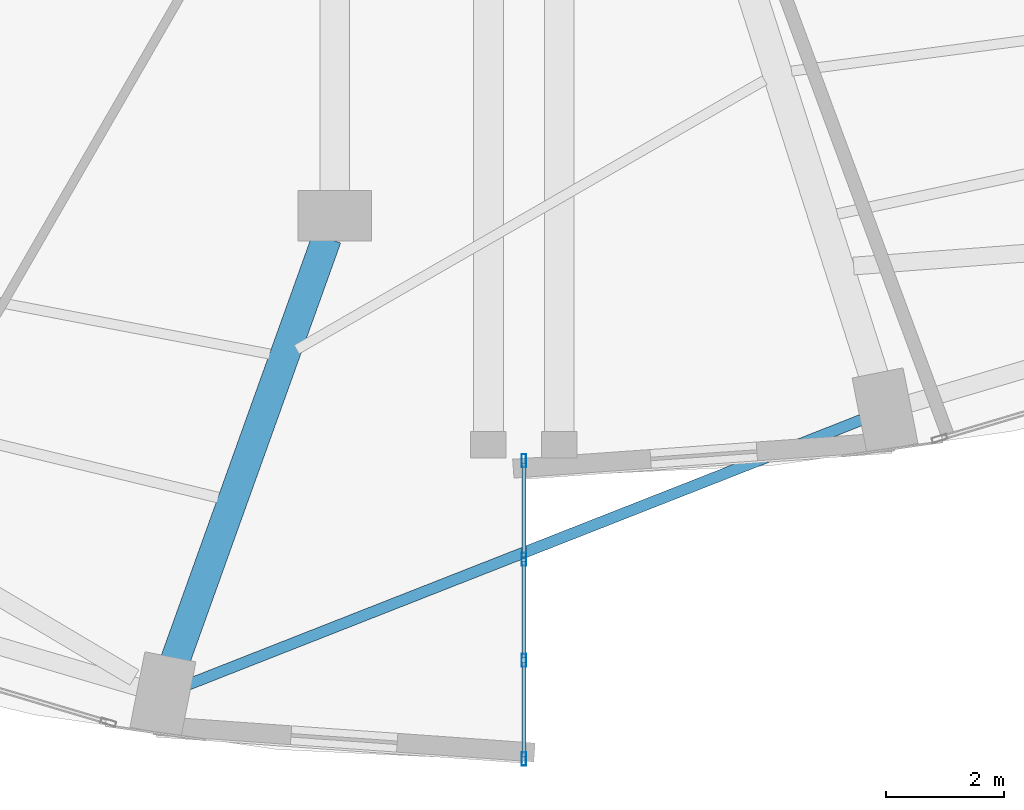
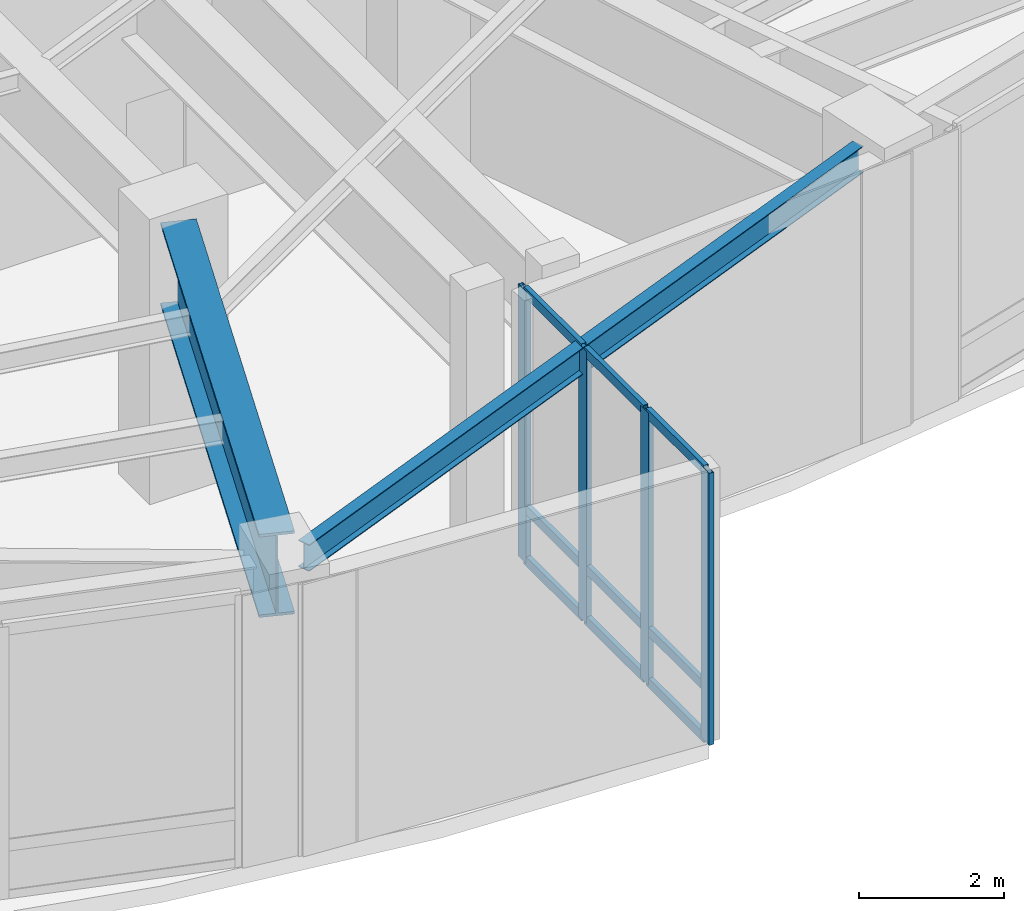
# One storey, part 4 of 24: 13 members, 2 beams, 1 element without a shape of its own.
"""IFC4 building model written with IfcOpenShell, lengths in metres."""

from ifc_helpers import new_model, si_unit, direction, frame, origin, origin_2d, place, context, subcontext, project, spatial, hollow_rectangle, i_section, extrude, material, layer, layer_set, material_profile, profile_set, type_object, element, aggregate, save


model = new_model("IFC4")

# Units and contexts
model_context = context("Model", 3, precision=1e-05, world=origin(), true_north=direction((0.0, 1.0)))
body_context = subcontext(model_context, "Body", "Model", "MODEL_VIEW")
ifc_project = project(units=[si_unit("LENGTHUNIT", "METRE"), si_unit("AREAUNIT", "SQUARE_METRE"), si_unit("VOLUMEUNIT", "CUBIC_METRE"), si_unit("PLANEANGLEUNIT", "RADIAN"), si_unit("MASSUNIT", "GRAM", prefix="KILO")], contexts=[model_context])

# Site, building, storey
site_placement = place(None, origin())
site = spatial("IfcSite", under=ifc_project, at=site_placement, CompositionType="ELEMENT")
building_placement = place(site_placement, origin())
building = spatial("IfcBuilding", under=site, at=building_placement, Name="Lazwardi Medical Tower", CompositionType="ELEMENT")
storey_placement = place(building_placement, frame((0.0, 0.0, 20.39990234375)))
storey = spatial("IfcBuildingStorey", under=building, at=storey_placement, Name="L04", CompositionType="ELEMENT", Elevation=20.39990234375)

# Beams
ifc_material_1 = material(Name="Steel S355", Category="steel")
ifc_material_profile_1 = material_profile(ifc_material_1, i_section(OverallWidth=0.18994140625, OverallDepth=0.449951171875, WebThickness=0.009521484375, FlangeThickness=0.0146484375, at=origin_2d()), Name="IPE 450")
ifc_profile_set_1 = profile_set([ifc_material_profile_1], Name="Steel S355")
beam_type_1 = type_object("IfcBeamType", Name="BM-SP-01", PredefinedType="SPANDREL", material=ifc_profile_set_1)
beam_1_placement = place(storey_placement, frame((30.2939453125, 3.8857421875, 4.35498046875), z_axis=(0.930695337123, 0.365795283536, 0.0), x_axis=(-0.365795283536, 0.930695337123, 0.0)))
element("IfcBeam", 1, at=beam_1_placement, inside=storey, type_object=beam_type_1, Name="Spandrel beam SP-01 B16 L04", PredefinedType="SPANDREL", context=body_context, shape_type="SweptSolid", body=[
    extrude(i_section(OverallWidth=0.18994140625, OverallDepth=0.449951171875, WebThickness=0.009521484375, FlangeThickness=0.0146484375, at=origin_2d()), origin(), (0.0, 0.0, 1.0), 12.261962890625),
])
ifc_material_2 = material(Name="Steel S460", Category="steel")
ifc_material_profile_2 = material_profile(ifc_material_2, i_section(OverallWidth=0.5, OverallDepth=1.39990234375, WebThickness=0.028076171875, FlangeThickness=0.044921875, at=origin_2d()), Name="PG 1400x500")
ifc_profile_set_2 = profile_set([ifc_material_profile_2], Name="Steel S460")
beam_type_2 = type_object("IfcBeamType", Name="BM-TG-01", PredefinedType="BEAM", material=ifc_profile_set_2)
beam_2_placement = place(storey_placement, frame((30.089599609375, 4.2744140625, 3.880126953125), z_axis=(0.337851658054, 0.941199371627, 0.0), x_axis=(-0.941199371627, 0.337851658054, 0.0)))
element("IfcBeam", 2, at=beam_2_placement, inside=storey, type_object=beam_type_2, Name="Transfer girder TG-01 M16A L04", PredefinedType="BEAM", context=body_context, shape_type="SweptSolid", body=[
    extrude(i_section(OverallWidth=0.5, OverallDepth=1.39990234375, WebThickness=0.028076171875, FlangeThickness=0.044921875, at=origin_2d()), origin(), (0.0, 0.0, 1.0), 7.622314453125),
])

# Curtain wall, members
ifc_material_3 = material(Name="Anodised bronze aluminium and solar control glazing", Category="aluminium")
ifc_layer = layer(ifc_material_3, 0.2099609375)
ifc_layer_set = layer_set([ifc_layer], Name="Anodised bronze aluminium and solar control glazing")
curtain_wall_type = type_object("IfcCurtainWallType", Name="CW-SYS-06", PredefinedType="NOTDEFINED", material=ifc_layer_set)
curtain_wall_placement = place(storey_placement, origin())
curtain_wall = element("IfcCurtainWall", 3, at=curtain_wall_placement, inside=storey, type_object=curtain_wall_type, Name="L04 Unitised bronze curtain wall CW-06", PredefinedType="NOTDEFINED")
ifc_material_4 = material(Name="Anodised bronze aluminium", Category="aluminium")
ifc_material_profile_3 = material_profile(ifc_material_4, hollow_rectangle(XDim=0.074951171875, YDim=0.219970703125, WallThickness=0.00390625, at=origin_2d()), Name="ALU-MULLION 220x75x4")
ifc_profile_set_3 = profile_set([ifc_material_profile_3], Name="Anodised bronze aluminium")
member_type_1 = type_object("IfcMemberType", Name="CW-MUL-01", PredefinedType="MULLION", material=ifc_profile_set_3)
member_1_placement = place(storey_placement, frame((36.0, 2.637451171875, 0.0), z_axis=(0.0, 0.0, 1.0), x_axis=(-1.0, 0.0, 0.0)))
member_1 = element("IfcMember", 4, at=member_1_placement, type_object=member_type_1, Name="CW-06 mullion 1", PredefinedType="MULLION", context=body_context, shape_type="SweptSolid", body=[
    extrude(hollow_rectangle(XDim=0.074951171875, YDim=0.219970703125, WallThickness=0.00390625, at=origin_2d()), origin(), (0.0, 0.0, 1.0), 4.580078125),
])
member_2_placement = place(storey_placement, frame((36.0, 4.306640625, 0.0), z_axis=(0.0, 0.0, 1.0), x_axis=(-1.0, 0.0, 0.0)))
member_2 = element("IfcMember", 5, at=member_2_placement, type_object=member_type_1, Name="CW-06 mullion 2", PredefinedType="MULLION", context=body_context, shape_type="SweptSolid", body=[
    extrude(hollow_rectangle(XDim=0.074951171875, YDim=0.219970703125, WallThickness=0.00390625, at=origin_2d()), origin(), (0.0, 0.0, 1.0), 4.580078125),
])
member_3_placement = place(storey_placement, frame((36.0, 6.013427734375, 0.0), z_axis=(0.0, 0.0, 1.0), x_axis=(-1.0, 0.0, 0.0)))
member_3 = element("IfcMember", 6, at=member_3_placement, type_object=member_type_1, Name="CW-06 mullion 3", PredefinedType="MULLION", context=body_context, shape_type="SweptSolid", body=[
    extrude(hollow_rectangle(XDim=0.074951171875, YDim=0.219970703125, WallThickness=0.00390625, at=origin_2d()), origin(), (0.0, 0.0, 1.0), 4.580078125),
])
member_4_placement = place(storey_placement, frame((36.0, 7.6826171875, 0.0), z_axis=(0.0, 0.0, 1.0), x_axis=(-1.0, 0.0, 0.0)))
member_4 = element("IfcMember", 7, at=member_4_placement, type_object=member_type_1, Name="CW-06 mullion 4", PredefinedType="MULLION", context=body_context, shape_type="SweptSolid", body=[
    extrude(hollow_rectangle(XDim=0.074951171875, YDim=0.219970703125, WallThickness=0.00390625, at=origin_2d()), origin(), (0.0, 0.0, 1.0), 4.580078125),
])
ifc_material_profile_4 = material_profile(ifc_material_4, hollow_rectangle(XDim=0.074951171875, YDim=0.159912109375, WallThickness=0.00390625, at=origin_2d()), Name="ALU-TRANSOM 160x75x4")
ifc_profile_set_4 = profile_set([ifc_material_profile_4], Name="Anodised bronze aluminium")
member_type_2 = type_object("IfcMemberType", Name="CW-TRN-01", PredefinedType="USERDEFINED", material=ifc_profile_set_4)
member_5_placement = place(storey_placement, frame((36.0, 2.675048828125, 0.03759765625), z_axis=(0.0, 1.0, 0.0), x_axis=(-1.0, 0.0, 0.0)))
member_5 = element("IfcMember", 8, at=member_5_placement, type_object=member_type_2, Name="CW-06 transom 1.1", ObjectType="TRANSOM", PredefinedType="USERDEFINED", context=body_context, shape_type="SweptSolid", body=[
    extrude(hollow_rectangle(XDim=0.074951171875, YDim=0.159912109375, WallThickness=0.00390625, at=origin_2d()), origin(), (0.0, 0.0, 1.0), 1.59423828125),
])
member_6_placement = place(storey_placement, frame((36.0, 2.675048828125, 0.900146484375), z_axis=(0.0, 1.0, 0.0), x_axis=(-1.0, 0.0, 0.0)))
member_6 = element("IfcMember", 9, at=member_6_placement, type_object=member_type_2, Name="CW-06 transom 1.2", ObjectType="TRANSOM", PredefinedType="USERDEFINED", context=body_context, shape_type="SweptSolid", body=[
    extrude(hollow_rectangle(XDim=0.074951171875, YDim=0.159912109375, WallThickness=0.00390625, at=origin_2d()), origin(), (0.0, 0.0, 1.0), 1.59423828125),
])
member_7_placement = place(storey_placement, frame((36.0, 2.675048828125, 4.54248046875), z_axis=(0.0, 1.0, 0.0), x_axis=(-1.0, 0.0, 0.0)))
member_7 = element("IfcMember", 10, at=member_7_placement, type_object=member_type_2, Name="CW-06 transom 1.3", ObjectType="TRANSOM", PredefinedType="USERDEFINED", context=body_context, shape_type="SweptSolid", body=[
    extrude(hollow_rectangle(XDim=0.074951171875, YDim=0.159912109375, WallThickness=0.00390625, at=origin_2d()), origin(), (0.0, 0.0, 1.0), 1.59423828125),
])
member_8_placement = place(storey_placement, frame((36.0, 4.34423828125, 0.03759765625), z_axis=(0.0, 1.0, 0.0), x_axis=(-1.0, 0.0, 0.0)))
member_8 = element("IfcMember", 11, at=member_8_placement, type_object=member_type_2, Name="CW-06 transom 2.1", ObjectType="TRANSOM", PredefinedType="USERDEFINED", context=body_context, shape_type="SweptSolid", body=[
    extrude(hollow_rectangle(XDim=0.074951171875, YDim=0.159912109375, WallThickness=0.00390625, at=origin_2d()), origin(), (0.0, 0.0, 1.0), 1.631591796875),
])
member_9_placement = place(storey_placement, frame((36.0, 4.34423828125, 0.900146484375), z_axis=(0.0, 1.0, 0.0), x_axis=(-1.0, 0.0, 0.0)))
member_9 = element("IfcMember", 12, at=member_9_placement, type_object=member_type_2, Name="CW-06 transom 2.2", ObjectType="TRANSOM", PredefinedType="USERDEFINED", context=body_context, shape_type="SweptSolid", body=[
    extrude(hollow_rectangle(XDim=0.074951171875, YDim=0.159912109375, WallThickness=0.00390625, at=origin_2d()), origin(), (0.0, 0.0, 1.0), 1.631591796875),
])
member_10_placement = place(storey_placement, frame((36.0, 4.34423828125, 4.54248046875), z_axis=(0.0, 1.0, 0.0), x_axis=(-1.0, 0.0, 0.0)))
member_10 = element("IfcMember", 13, at=member_10_placement, type_object=member_type_2, Name="CW-06 transom 2.3", ObjectType="TRANSOM", PredefinedType="USERDEFINED", context=body_context, shape_type="SweptSolid", body=[
    extrude(hollow_rectangle(XDim=0.074951171875, YDim=0.159912109375, WallThickness=0.00390625, at=origin_2d()), origin(), (0.0, 0.0, 1.0), 1.631591796875),
])
member_11_placement = place(storey_placement, frame((36.0, 6.05078125, 0.03759765625), z_axis=(0.0, 1.0, 0.0), x_axis=(-1.0, 0.0, 0.0)))
member_11 = element("IfcMember", 14, at=member_11_placement, type_object=member_type_2, Name="CW-06 transom 3.1", ObjectType="TRANSOM", PredefinedType="USERDEFINED", context=body_context, shape_type="SweptSolid", body=[
    extrude(hollow_rectangle(XDim=0.074951171875, YDim=0.159912109375, WallThickness=0.00390625, at=origin_2d()), origin(), (0.0, 0.0, 1.0), 1.59423828125),
])
member_12_placement = place(storey_placement, frame((36.0, 6.05078125, 0.900146484375), z_axis=(0.0, 1.0, 0.0), x_axis=(-1.0, 0.0, 0.0)))
member_12 = element("IfcMember", 15, at=member_12_placement, type_object=member_type_2, Name="CW-06 transom 3.2", ObjectType="TRANSOM", PredefinedType="USERDEFINED", context=body_context, shape_type="SweptSolid", body=[
    extrude(hollow_rectangle(XDim=0.074951171875, YDim=0.159912109375, WallThickness=0.00390625, at=origin_2d()), origin(), (0.0, 0.0, 1.0), 1.59423828125),
])
member_13_placement = place(storey_placement, frame((36.0, 6.05078125, 4.54248046875), z_axis=(0.0, 1.0, 0.0), x_axis=(-1.0, 0.0, 0.0)))
member_13 = element("IfcMember", 16, at=member_13_placement, type_object=member_type_2, Name="CW-06 transom 3.3", ObjectType="TRANSOM", PredefinedType="USERDEFINED", context=body_context, shape_type="SweptSolid", body=[
    extrude(hollow_rectangle(XDim=0.074951171875, YDim=0.159912109375, WallThickness=0.00390625, at=origin_2d()), origin(), (0.0, 0.0, 1.0), 1.59423828125),
])
aggregate(curtain_wall, [member_1, member_2, member_3, member_4, member_5, member_6, member_7, member_8, member_9, member_10, member_11, member_12, member_13])

save(model, "model.ifc")
